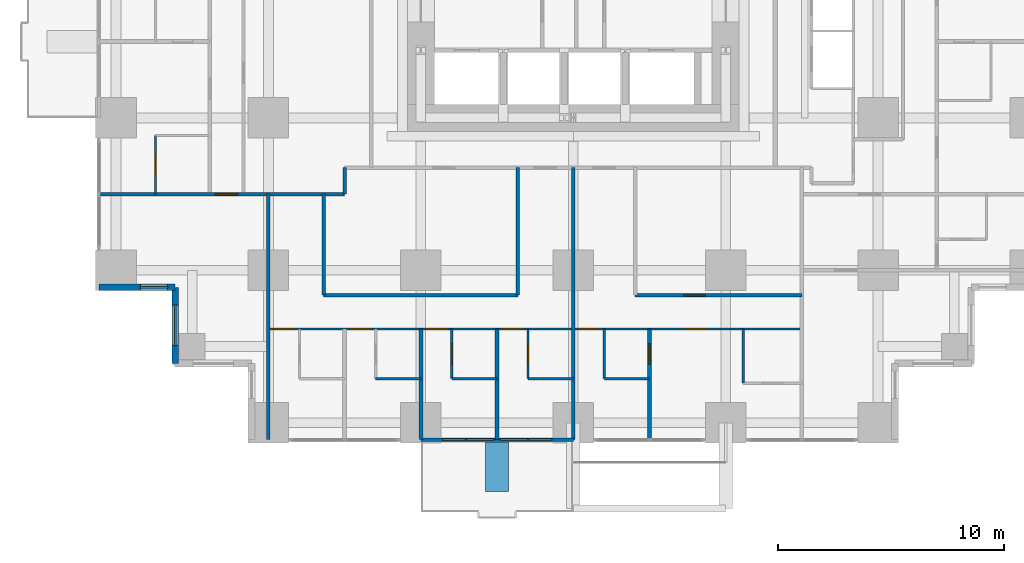
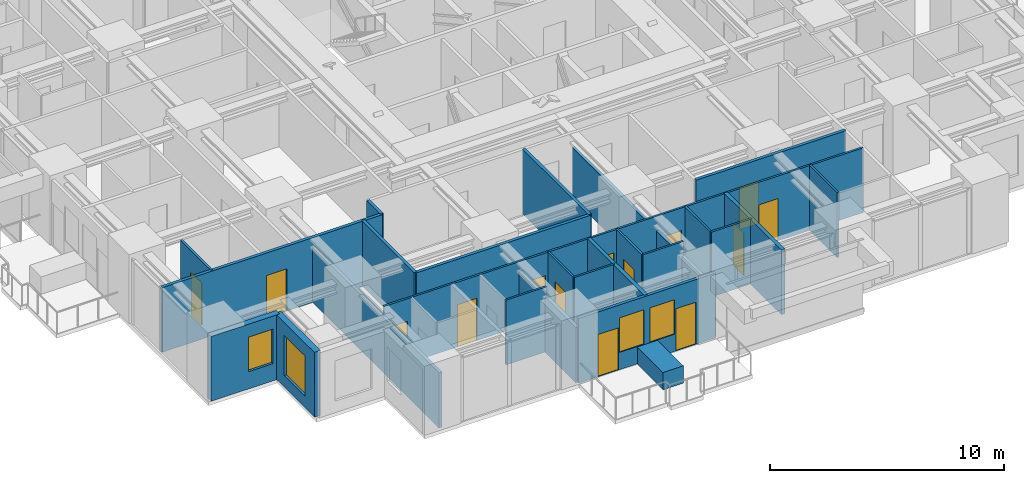
# One storey, part 8 of 14: 25 walls, 14 doors, 4 windows, 18 openings.
"""IFC4 building model written with IfcOpenShell, lengths in metres."""

from ifc_helpers import new_model, si_unit, direction, frame, frame_2d, origin, place, context, subcontext, project, spatial, rectangle, extrude, material, layer, layer_set, type_object, element, fill, save


model = new_model("IFC4")

# Units and contexts
model_context = context("Model", 3, precision=1e-05, world=origin(), true_north=direction((0.0, 1.0)))
body_context = subcontext(model_context, "Body", "Model", "MODEL_VIEW")
ifc_project = project(units=[si_unit("LENGTHUNIT", "METRE"), si_unit("AREAUNIT", "SQUARE_METRE"), si_unit("VOLUMEUNIT", "CUBIC_METRE"), si_unit("PLANEANGLEUNIT", "RADIAN"), si_unit("MASSUNIT", "GRAM", prefix="KILO")], contexts=[model_context])

# Site, building, storey
site_placement = place(None, origin())
site = spatial("IfcSite", under=ifc_project, at=site_placement, CompositionType="ELEMENT")
building_placement = place(site_placement, origin())
building = spatial("IfcBuilding", under=site, at=building_placement, Name="Nyansa Garden Tower", CompositionType="ELEMENT")
storey_placement = place(building_placement, frame((0.0, 0.0, 68.39990234375)))
storey = spatial("IfcBuildingStorey", under=building, at=storey_placement, Name="L18", CompositionType="ELEMENT", Elevation=68.39990234375)

# Walls
ifc_material_1 = material(Name="Dense blockwork, plastered both sides, 55 dB", Category="masonry")
ifc_layer_1 = layer(ifc_material_1, 0.175048828125)
ifc_layer_set_1 = layer_set([ifc_layer_1], Name="Acoustic party wall PW175")
wall_type_1 = type_object("IfcWallType", Name="Acoustic party wall PW175", PredefinedType="PARTITIONING", material=ifc_layer_set_1)
wall_1_placement = place(storey_placement, frame((13.5, -0.73388671875, 0.0), z_axis=(0.0, 0.0, 1.0), x_axis=(0.0, 1.0, 0.0)))
element("IfcWall", 1, at=wall_1_placement, inside=storey, type_object=wall_type_1, Name="Party wall", PredefinedType="PARTITIONING", context=body_context, shape_type="SweptSolid", body=[
    extrude(rectangle(XDim=4.8837890625, YDim=0.175048828125, at=frame_2d((2.44189453125, 0.0))), origin(), (0.0, 0.0, 1.0), 2.877197265625),
])
wall_2_placement = place(storey_placement, frame((16.875, -0.73388671875, 0.0), z_axis=(0.0, 0.0, 1.0), x_axis=(0.0, 1.0, 0.0)))
element("IfcWall", 2, at=wall_2_placement, inside=storey, type_object=wall_type_1, Name="Party wall", PredefinedType="PARTITIONING", context=body_context, shape_type="SweptSolid", body=[
    extrude(rectangle(XDim=4.8837890625, YDim=0.175048828125, at=frame_2d((2.44189453125, 0.0))), origin(), (0.0, 0.0, 1.0), 3.375),
])

# Wall, opening, door
wall_3_placement = place(storey_placement, frame((23.625, -0.73388671875, 0.0), z_axis=(0.0, 0.0, 1.0), x_axis=(0.0, 1.0, 0.0)))
wall_3 = element("IfcWall", 3, at=wall_3_placement, inside=storey, type_object=wall_type_1, Name="Party wall", PredefinedType="PARTITIONING", context=body_context, shape_type="SweptSolid", body=[
    extrude(rectangle(XDim=4.8837890625, YDim=0.175048828125, at=frame_2d((2.44189453125, 0.0))), origin(), (0.0, 0.0, 1.0), 3.375),
])
opening_1_placement = place(wall_3_placement, frame((3.333984375, 0.0, 0.0)))
opening_1 = element("IfcOpeningElement", 4, at=opening_1_placement, cuts=wall_3, Name="Opening D02", PredefinedType="OPENING", context=body_context, shape_type="SweptSolid", body=[
    extrude(rectangle(XDim=0.89990234375, YDim=2.199951171875, at=frame_2d((0.449951171875, 1.10009765625))), frame((0.0, 0.097412109375, 0.0), z_axis=(0.0, -1.0, 0.0), x_axis=(1.0, 0.0, 0.0)), (0.0, 0.0, 1.0), 0.195068359375),
])
ifc_material_2 = material(Name="Timber flush door", Category="wood")
door_type_1 = type_object("IfcDoorType", Name="En-suite door D02 900x2200", OperationType="SINGLE_SWING_RIGHT", PredefinedType="DOOR", material=ifc_material_2)
door_1_placement = place(opening_1_placement, origin())
door_1 = element("IfcDoor", 5, at=door_1_placement, inside=storey, type_object=door_type_1, Name="Door L18-032", OperationType="SINGLE_SWING_RIGHT", OverallHeight=2.199951171875, OverallWidth=0.89990234375, PredefinedType="DOOR", context=body_context, shape_type="SweptSolid", body=[
    extrude(rectangle(XDim=0.89990234375, YDim=2.199951171875, at=frame_2d((0.449951171875, 1.10009765625))), frame((0.0, 0.02490234375, 0.0), z_axis=(0.0, -1.0, 0.0), x_axis=(1.0, 0.0, 0.0)), (0.0, 0.0, 1.0), 0.050048828125),
])
fill(opening_1, door_1)

# Wall, openings, doors, windows
ifc_material_3 = material(Name="Black aluminium framed glazed screen", Category="aluminium")
ifc_layer_2 = layer(ifc_material_3, 0.14990234375)
ifc_layer_set_2 = layer_set([ifc_layer_2], Name="Balcony screen wall BW150")
wall_type_2 = type_object("IfcWallType", Name="Balcony screen wall BW150", PredefinedType="SOLIDWALL", material=ifc_layer_set_2)
wall_4_placement = place(storey_placement, frame((20.25, -0.75, 0.0), z_axis=(0.0, 0.0, 1.0), x_axis=(-1.0, 0.0, 0.0)))
wall_4 = element("IfcWall", 6, at=wall_4_placement, inside=storey, type_object=wall_type_2, Name="Glazed screen wall L18 S", PredefinedType="SOLIDWALL", context=body_context, shape_type="SweptSolid", body=[
    extrude(rectangle(XDim=6.75, YDim=0.14990234375, at=frame_2d((3.375, 0.0))), origin(), (0.0, 0.0, 1.0), 3.375),
])
opening_2_placement = place(wall_4_placement, frame((0.96240234375, 0.0, 0.0)))
opening_2 = element("IfcOpeningElement", 7, at=opening_2_placement, cuts=wall_4, Name="Opening D20", PredefinedType="OPENING", context=body_context, shape_type="SweptSolid", body=[
    extrude(rectangle(XDim=1.0, YDim=2.199951171875, at=frame_2d((0.5, 1.10009765625))), frame((0.0, 0.0849609375, 0.0), z_axis=(0.0, -1.0, 0.0), x_axis=(1.0, 0.0, 0.0)), (0.0, 0.0, 1.0), 0.169921875),
])
opening_3_placement = place(wall_4_placement, frame((2.02490234375, 0.0, 0.89990234375)))
opening_3 = element("IfcOpeningElement", 8, at=opening_3_placement, cuts=wall_4, Name="Opening W6", PredefinedType="OPENING", context=body_context, shape_type="SweptSolid", body=[
    extrude(rectangle(XDim=1.199951171875, YDim=1.800048828125, at=frame_2d((0.60009765625, 0.89990234375))), frame((0.0, 0.0849609375, 0.0), z_axis=(0.0, -1.0, 0.0), x_axis=(1.0, 0.0, 0.0)), (0.0, 0.0, 1.0), 0.169921875),
])
opening_4_placement = place(wall_4_placement, frame((4.78759765625, 0.0, 0.0)))
opening_4 = element("IfcOpeningElement", 9, at=opening_4_placement, cuts=wall_4, Name="Opening D20", PredefinedType="OPENING", context=body_context, shape_type="SweptSolid", body=[
    extrude(rectangle(XDim=1.0, YDim=2.199951171875, at=frame_2d((0.5, 1.10009765625))), frame((0.0, 0.0849609375, 0.0), z_axis=(0.0, -1.0, 0.0), x_axis=(1.0, 0.0, 0.0)), (0.0, 0.0, 1.0), 0.169921875),
])
opening_5_placement = place(wall_4_placement, frame((3.52490234375, 0.0, 0.89990234375)))
opening_5 = element("IfcOpeningElement", 10, at=opening_5_placement, cuts=wall_4, Name="Opening W6", PredefinedType="OPENING", context=body_context, shape_type="SweptSolid", body=[
    extrude(rectangle(XDim=1.199951171875, YDim=1.800048828125, at=frame_2d((0.60009765625, 0.89990234375))), frame((0.0, 0.0849609375, 0.0), z_axis=(0.0, -1.0, 0.0), x_axis=(1.0, 0.0, 0.0)), (0.0, 0.0, 1.0), 0.169921875),
])
ifc_material_4 = material(Name="Black aluminium framed glazed door", Category="aluminium")
door_type_2 = type_object("IfcDoorType", Name="Balcony door D20 1000x2200", OperationType="NOTDEFINED", PredefinedType="DOOR", material=ifc_material_4)
door_2_placement = place(opening_2_placement, origin())
door_2 = element("IfcDoor", 11, at=door_2_placement, inside=storey, type_object=door_type_2, Name="Balcony door L18", OperationType="SINGLE_SWING_LEFT", OverallHeight=2.199951171875, OverallWidth=1.0, PredefinedType="DOOR", context=body_context, shape_type="SweptSolid", body=[
    extrude(rectangle(XDim=1.0, YDim=2.199951171875, at=frame_2d((0.5, 1.10009765625))), frame((0.0, 0.02490234375, 0.0), z_axis=(0.0, -1.0, 0.0), x_axis=(1.0, 0.0, 0.0)), (0.0, 0.0, 1.0), 0.050048828125),
])
fill(opening_2, door_2)
door_3_placement = place(opening_4_placement, origin())
door_3 = element("IfcDoor", 12, at=door_3_placement, inside=storey, type_object=door_type_2, Name="Balcony door L18", OperationType="SINGLE_SWING_RIGHT", OverallHeight=2.199951171875, OverallWidth=1.0, PredefinedType="DOOR", context=body_context, shape_type="SweptSolid", body=[
    extrude(rectangle(XDim=1.0, YDim=2.199951171875, at=frame_2d((0.5, 1.10009765625))), frame((0.0, 0.02490234375, 0.0), z_axis=(0.0, -1.0, 0.0), x_axis=(1.0, 0.0, 0.0)), (0.0, 0.0, 1.0), 0.050048828125),
])
fill(opening_4, door_3)
ifc_material_5 = material(Name="Black aluminium frame, dark tinted double glazing", Category="aluminium")
window_type_1 = type_object("IfcWindowType", Name="Balcony window W6 1200x1800", PartitioningType="SINGLE_PANEL", PredefinedType="WINDOW", material=ifc_material_5)
window_1_placement = place(opening_3_placement, origin())
window_1 = element("IfcWindow", 13, at=window_1_placement, inside=storey, type_object=window_type_1, Name="Window L18", OverallHeight=1.800048828125, OverallWidth=1.199951171875, PartitioningType="SINGLE_PANEL", PredefinedType="WINDOW", context=body_context, shape_type="SweptSolid", body=[
    extrude(rectangle(XDim=1.199951171875, YDim=1.800048828125, at=frame_2d((0.60009765625, 0.89990234375))), frame((0.0, 0.030029296875, 0.0), z_axis=(0.0, -1.0, 0.0), x_axis=(1.0, 0.0, 0.0)), (0.0, 0.0, 1.0), 0.06005859375),
])
fill(opening_3, window_1)
window_2_placement = place(opening_5_placement, origin())
window_2 = element("IfcWindow", 14, at=window_2_placement, inside=storey, type_object=window_type_1, Name="Window L18", OverallHeight=1.800048828125, OverallWidth=1.199951171875, PartitioningType="SINGLE_PANEL", PredefinedType="WINDOW", context=body_context, shape_type="SweptSolid", body=[
    extrude(rectangle(XDim=1.199951171875, YDim=1.800048828125, at=frame_2d((0.60009765625, 0.89990234375))), frame((0.0, 0.030029296875, 0.0), z_axis=(0.0, -1.0, 0.0), x_axis=(1.0, 0.0, 0.0)), (0.0, 0.0, 1.0), 0.06005859375),
])
fill(opening_5, window_2)

# Wall, opening, door
ifc_material_6 = material(Name="Blockwork, plastered both sides", Category="masonry")
ifc_layer_3 = layer(ifc_material_6, 0.14990234375)
ifc_layer_set_3 = layer_set([ifc_layer_3], Name="Partition PW150")
wall_type_3 = type_object("IfcWallType", Name="Partition PW150", PredefinedType="PARTITIONING", material=ifc_layer_set_3)
wall_5_placement = place(storey_placement, frame((-0.73388671875, 10.125, 0.0), z_axis=(0.0, 0.0, 1.0), x_axis=(1.0, 0.0, 0.0)))
wall_5 = element("IfcWall", 15, at=wall_5_placement, inside=storey, type_object=wall_type_3, Name="Partition", PredefinedType="PARTITIONING", context=body_context, shape_type="SweptSolid", body=[
    extrude(rectangle(XDim=10.85888671875, YDim=0.14990234375, at=frame_2d((5.429443359375, 0.0))), origin(), (0.0, 0.0, 1.0), 3.375),
])
opening_6_placement = place(wall_5_placement, frame((5.134033203125, 0.0, 0.0)))
opening_6 = element("IfcOpeningElement", 16, at=opening_6_placement, cuts=wall_5, Name="Opening D03", PredefinedType="OPENING", context=body_context, shape_type="SweptSolid", body=[
    extrude(rectangle(XDim=1.0, YDim=2.199951171875, at=frame_2d((0.5, 1.10009765625))), frame((0.0, 0.0849609375, 0.0), z_axis=(0.0, -1.0, 0.0), x_axis=(1.0, 0.0, 0.0)), (0.0, 0.0, 1.0), 0.169921875),
])
ifc_material_7 = material(Name="Timber flush door, 60 minute fire resisting", Category="wood")
door_type_3 = type_object("IfcDoorType", Name="Cluster entrance door D03 1000x2200", OperationType="SINGLE_SWING_LEFT", PredefinedType="DOOR", material=ifc_material_7)
door_4_placement = place(opening_6_placement, origin())
door_4 = element("IfcDoor", 17, at=door_4_placement, inside=storey, type_object=door_type_3, Name="Door L18-019", OperationType="SINGLE_SWING_LEFT", OverallHeight=2.199951171875, OverallWidth=1.0, PredefinedType="DOOR", context=body_context, shape_type="SweptSolid", body=[
    extrude(rectangle(XDim=1.0, YDim=2.199951171875, at=frame_2d((0.5, 1.10009765625))), frame((0.0, 0.02490234375, 0.0), z_axis=(0.0, -1.0, 0.0), x_axis=(1.0, 0.0, 0.0)), (0.0, 0.0, 1.0), 0.050048828125),
])
fill(opening_6, door_4)

# Walls
wall_6_placement = place(storey_placement, frame((6.75, -0.73388671875, 0.0), z_axis=(0.0, 0.0, 1.0), x_axis=(0.0, 1.0, 0.0)))
element("IfcWall", 18, at=wall_6_placement, inside=storey, type_object=wall_type_3, Name="Partition", PredefinedType="PARTITIONING", context=body_context, shape_type="SweptSolid", body=[
    extrude(rectangle(XDim=10.85888671875, YDim=0.14990234375, at=frame_2d((5.429443359375, 0.0))), origin(), (0.0, 0.0, 1.0), 2.877197265625),
])
wall_7_placement = place(storey_placement, frame((9.199951171875, 5.64990234375, 0.0), z_axis=(0.0, 0.0, 1.0), x_axis=(0.0, 1.0, 0.0)))
element("IfcWall", 19, at=wall_7_placement, inside=storey, type_object=wall_type_3, Name="Partition", PredefinedType="PARTITIONING", context=body_context, shape_type="SweptSolid", body=[
    extrude(rectangle(XDim=4.47509765625, YDim=0.14990234375, at=frame_2d((2.237548828125, 0.0))), origin(), (0.0, 0.0, 1.0), 3.375),
])
wall_8_placement = place(storey_placement, frame((9.199951171875, 5.64990234375, 0.0), z_axis=(0.0, 0.0, 1.0), x_axis=(1.0, 0.0, 0.0)))
element("IfcWall", 20, at=wall_8_placement, inside=storey, type_object=wall_type_3, Name="Partition", PredefinedType="PARTITIONING", context=body_context, shape_type="SweptSolid", body=[
    extrude(rectangle(XDim=8.60009765625, YDim=0.14990234375, at=frame_2d((4.300048828125, 0.0))), origin(), (0.0, 0.0, 1.0), 3.375),
])
wall_9_placement = place(storey_placement, frame((10.125, 10.125, 0.0), z_axis=(0.0, 0.0, 1.0), x_axis=(0.0, 1.0, 0.0)))
element("IfcWall", 21, at=wall_9_placement, inside=storey, type_object=wall_type_3, Name="Partition", PredefinedType="PARTITIONING", context=body_context, shape_type="SweptSolid", body=[
    extrude(rectangle(XDim=1.175048828125, YDim=0.14990234375, at=frame_2d((0.58740234375, 0.0))), origin(), (0.0, 0.0, 1.0), 3.375),
])
wall_10_placement = place(storey_placement, frame((17.800048828125, 5.64990234375, 0.0), z_axis=(0.0, 0.0, 1.0), x_axis=(0.0, 1.0, 0.0)))
element("IfcWall", 22, at=wall_10_placement, inside=storey, type_object=wall_type_3, Name="Partition", PredefinedType="PARTITIONING", context=body_context, shape_type="SweptSolid", body=[
    extrude(rectangle(XDim=5.650146484375, YDim=0.14990234375, at=frame_2d((2.8251953125, 0.0))), origin(), (0.0, 0.0, 1.0), 3.375),
])
wall_11_placement = place(storey_placement, frame((20.25, -0.73388671875, 0.0), z_axis=(0.0, 0.0, 1.0), x_axis=(0.0, 1.0, 0.0)))
element("IfcWall", 23, at=wall_11_placement, inside=storey, type_object=wall_type_3, Name="Partition", PredefinedType="PARTITIONING", context=body_context, shape_type="SweptSolid", body=[
    extrude(rectangle(XDim=12.033935546875, YDim=0.14990234375, at=frame_2d((6.01708984375, 0.0))), origin(), (0.0, 0.0, 1.0), 2.610107421875),
])

# Wall, opening, door
wall_12_placement = place(storey_placement, frame((22.987548828125, 5.64990234375, 0.0), z_axis=(0.0, 0.0, 1.0), x_axis=(1.0, 0.0, 0.0)))
wall_12 = element("IfcWall", 24, at=wall_12_placement, inside=storey, type_object=wall_type_3, Name="Partition", PredefinedType="PARTITIONING", context=body_context, shape_type="SweptSolid", body=[
    extrude(rectangle(XDim=7.387451171875, YDim=0.14990234375, at=frame_2d((3.69384765625, 0.0))), origin(), (0.0, 0.0, 1.0), 3.375),
])
opening_7_placement = place(wall_12_placement, frame((2.14990234375, 0.0, 0.0)))
opening_7 = element("IfcOpeningElement", 25, at=opening_7_placement, cuts=wall_12, Name="Opening D01", PredefinedType="OPENING", context=body_context, shape_type="SweptSolid", body=[
    extrude(rectangle(XDim=0.949951171875, YDim=2.199951171875, at=frame_2d((0.47509765625, 1.10009765625))), frame((0.0, 0.0849609375, 0.0), z_axis=(0.0, -1.0, 0.0), x_axis=(1.0, 0.0, 0.0)), (0.0, 0.0, 1.0), 0.169921875),
])
ifc_material_8 = material(Name="Timber flush door, 30 minute fire resisting", Category="wood")
door_type_4 = type_object("IfcDoorType", Name="Bedroom door D01 950x2200", OperationType="SINGLE_SWING_LEFT", PredefinedType="DOOR", material=ifc_material_8)
door_5_placement = place(opening_7_placement, origin())
door_5 = element("IfcDoor", 26, at=door_5_placement, inside=storey, type_object=door_type_4, Name="Door L18-035", OperationType="SINGLE_SWING_LEFT", OverallHeight=2.199951171875, OverallWidth=0.949951171875, PredefinedType="DOOR", context=body_context, shape_type="SweptSolid", body=[
    extrude(rectangle(XDim=0.949951171875, YDim=2.199951171875, at=frame_2d((0.47509765625, 1.10009765625))), frame((0.0, 0.02490234375, 0.0), z_axis=(0.0, -1.0, 0.0), x_axis=(1.0, 0.0, 0.0)), (0.0, 0.0, 1.0), 0.050048828125),
])
fill(opening_7, door_5)

# Wall, opening, window
ifc_material_9 = material(Name="Turquoise glazed tile on concrete blockwork", Category="masonry")
ifc_layer_4 = layer(ifc_material_9, 0.300048828125)
ifc_layer_set_4 = layer_set([ifc_layer_4], Name="Tiled corner wall TW300")
wall_type_4 = type_object("IfcWallType", Name="Tiled corner wall TW300", PredefinedType="SOLIDWALL", material=ifc_layer_set_4)
wall_13_placement = place(storey_placement, frame((-0.75, 6.0, 0.0), z_axis=(0.0, 0.0, 1.0), x_axis=(1.0, 0.0, 0.0)))
wall_13 = element("IfcWall", 27, at=wall_13_placement, inside=storey, type_object=wall_type_4, Name="Tiled corner wall L18", PredefinedType="SOLIDWALL", context=body_context, shape_type="SweptSolid", body=[
    extrude(rectangle(XDim=3.375, YDim=0.300048828125, at=frame_2d((1.6875, 0.0))), origin(), (0.0, 0.0, 1.0), 3.375),
])
opening_8_placement = place(wall_13_placement, frame((1.83251953125, 0.0, 0.89990234375)))
opening_8 = element("IfcOpeningElement", 28, at=opening_8_placement, cuts=wall_13, Name="Opening W4", PredefinedType="OPENING", context=body_context, shape_type="SweptSolid", body=[
    extrude(rectangle(XDim=1.199951171875, YDim=1.800048828125, at=frame_2d((0.60009765625, 0.89990234375))), frame((0.0, 0.159912109375, 0.0), z_axis=(0.0, -1.0, 0.0), x_axis=(1.0, 0.0, 0.0)), (0.0, 0.0, 1.0), 0.320068359375),
])
ifc_material_10 = material(Name="Black aluminium frame, dark tinted double glazing", Category="aluminium")
window_type_2 = type_object("IfcWindowType", Name="Window W4 1200x1800", PartitioningType="SINGLE_PANEL", PredefinedType="WINDOW", material=ifc_material_10)
window_3_placement = place(opening_8_placement, origin())
window_3 = element("IfcWindow", 29, at=window_3_placement, inside=storey, type_object=window_type_2, Name="Corner window L18", OverallHeight=1.800048828125, OverallWidth=1.199951171875, PartitioningType="SINGLE_PANEL", PredefinedType="WINDOW", context=body_context, shape_type="SweptSolid", body=[
    extrude(rectangle(XDim=1.199951171875, YDim=1.800048828125, at=frame_2d((0.60009765625, 0.89990234375))), frame((0.0, 0.030029296875, 0.0), z_axis=(0.0, -1.0, 0.0), x_axis=(1.0, 0.0, 0.0)), (0.0, 0.0, 1.0), 0.06005859375),
])
fill(opening_8, window_3)

wall_14_placement = place(storey_placement, frame((2.625, 6.0, 0.0), z_axis=(0.0, 0.0, 1.0), x_axis=(0.0, -1.0, 0.0)))
wall_14 = element("IfcWall", 30, at=wall_14_placement, inside=storey, type_object=wall_type_4, Name="Tiled corner wall L18", PredefinedType="SOLIDWALL", context=body_context, shape_type="SweptSolid", body=[
    extrude(rectangle(XDim=3.375, YDim=0.300048828125, at=frame_2d((1.6875, 0.0))), origin(), (0.0, 0.0, 1.0), 3.375),
])
opening_9_placement = place(wall_14_placement, frame((0.78759765625, 0.0, 0.60009765625)))
opening_9 = element("IfcOpeningElement", 31, at=opening_9_placement, cuts=wall_14, Name="Opening W2", PredefinedType="OPENING", context=body_context, shape_type="SweptSolid", body=[
    extrude(rectangle(XDim=1.800048828125, YDim=2.10009765625, at=frame_2d((0.89990234375, 1.050048828125))), frame((0.0, 0.159912109375, 0.0), z_axis=(0.0, -1.0, 0.0), x_axis=(1.0, 0.0, 0.0)), (0.0, 0.0, 1.0), 0.320068359375),
])
ifc_material_11 = material(Name="Black aluminium frame, dark tinted double glazing", Category="aluminium")
window_type_3 = type_object("IfcWindowType", Name="Window W2 1800x2100", PartitioningType="SINGLE_PANEL", PredefinedType="WINDOW", material=ifc_material_11)
window_4_placement = place(opening_9_placement, origin())
window_4 = element("IfcWindow", 32, at=window_4_placement, inside=storey, type_object=window_type_3, Name="Corner window L18", OverallHeight=2.10009765625, OverallWidth=1.800048828125, PartitioningType="SINGLE_PANEL", PredefinedType="WINDOW", context=body_context, shape_type="SweptSolid", body=[
    extrude(rectangle(XDim=1.800048828125, YDim=2.10009765625, at=frame_2d((0.89990234375, 1.050048828125))), frame((0.0, 0.030029296875, 0.0), z_axis=(0.0, -1.0, 0.0), x_axis=(1.0, 0.0, 0.0)), (0.0, 0.0, 1.0), 0.06005859375),
])
fill(opening_9, window_4)

# Wall
ifc_material_12 = material(Name="Concrete C40/50 planter, waterproofed", Category="concrete")
ifc_layer_5 = layer(ifc_material_12, 1.0)
ifc_layer_set_5 = layer_set([ifc_layer_5], Name="Tree planter TP1")
wall_type_5 = type_object("IfcWallType", Name="Tree planter TP1", PredefinedType="USERDEFINED", material=ifc_layer_set_5)
wall_15_placement = place(storey_placement, frame((16.875, -0.85009765625, 0.0), z_axis=(0.0, 0.0, 1.0), x_axis=(0.0, -1.0, 0.0)))
element("IfcWall", 33, at=wall_15_placement, inside=storey, type_object=wall_type_5, Name="Tree planter L18", ObjectType="TREE PLANTER", PredefinedType="USERDEFINED", context=body_context, shape_type="SweptSolid", body=[
    extrude(rectangle(XDim=2.199951171875, YDim=1.0, at=frame_2d((1.10009765625, 0.0))), origin(), (0.0, 0.0, 1.0), 0.900146484375),
])

# Wall, opening, door
ifc_material_13 = material(Name="Moisture resistant board on steel studs, tiled", Category="steel")
ifc_layer_6 = layer(ifc_material_13, 0.10009765625)
ifc_layer_set_6 = layer_set([ifc_layer_6], Name="Wet wall PW100")
wall_type_6 = type_object("IfcWallType", Name="Wet wall PW100", PredefinedType="PARTITIONING", material=ifc_layer_set_6)
wall_16_placement = place(storey_placement, frame((1.75, 10.125, 0.0), z_axis=(0.0, 0.0, 1.0), x_axis=(0.0, 1.0, 0.0)))
wall_16 = element("IfcWall", 34, at=wall_16_placement, inside=storey, type_object=wall_type_6, Name="Wet wall", PredefinedType="PARTITIONING", context=body_context, shape_type="SweptSolid", body=[
    extrude(rectangle(XDim=2.60009765625, YDim=0.10009765625, at=frame_2d((1.300048828125, 0.0))), origin(), (0.0, 0.0, 1.0), 3.375),
])
opening_10_placement = place(wall_16_placement, frame((0.85009765625, 0.0, 0.0)))
opening_10 = element("IfcOpeningElement", 35, at=opening_10_placement, cuts=wall_16, Name="Opening D02", PredefinedType="OPENING", context=body_context, shape_type="SweptSolid", body=[
    extrude(rectangle(XDim=0.89990234375, YDim=2.199951171875, at=frame_2d((0.449951171875, 1.10009765625))), frame((0.0, 0.06005859375, 0.0), z_axis=(0.0, -1.0, 0.0), x_axis=(1.0, 0.0, 0.0)), (0.0, 0.0, 1.0), 0.1201171875),
])
door_6_placement = place(opening_10_placement, origin())
door_6 = element("IfcDoor", 36, at=door_6_placement, inside=storey, type_object=door_type_1, Name="Door L18-070", OperationType="SINGLE_SWING_RIGHT", OverallHeight=2.199951171875, OverallWidth=0.89990234375, PredefinedType="DOOR", context=body_context, shape_type="SweptSolid", body=[
    extrude(rectangle(XDim=0.89990234375, YDim=2.199951171875, at=frame_2d((0.449951171875, 1.10009765625))), frame((0.0, 0.02490234375, 0.0), z_axis=(0.0, -1.0, 0.0), x_axis=(1.0, 0.0, 0.0)), (0.0, 0.0, 1.0), 0.050048828125),
])
fill(opening_10, door_6)

# Wall, openings, doors
wall_17_placement = place(storey_placement, frame((6.75, 4.14990234375, 0.0), z_axis=(0.0, 0.0, 1.0), x_axis=(1.0, 0.0, 0.0)))
wall_17 = element("IfcWall", 37, at=wall_17_placement, inside=storey, type_object=wall_type_6, Name="Wet wall", PredefinedType="PARTITIONING", context=body_context, shape_type="SweptSolid", body=[
    extrude(rectangle(XDim=23.625, YDim=0.10009765625, at=frame_2d((11.8125, 0.0))), origin(), (0.0, 0.0, 1.0), 3.375),
])
opening_11_placement = place(wall_17_placement, frame((0.199951171875, 0.0, 0.0)))
opening_11 = element("IfcOpeningElement", 38, at=opening_11_placement, cuts=wall_17, Name="Opening D01", PredefinedType="OPENING", context=body_context, shape_type="SweptSolid", body=[
    extrude(rectangle(XDim=0.949951171875, YDim=2.199951171875, at=frame_2d((0.47509765625, 1.10009765625))), frame((0.0, 0.06005859375, 0.0), z_axis=(0.0, -1.0, 0.0), x_axis=(1.0, 0.0, 0.0)), (0.0, 0.0, 1.0), 0.1201171875),
])
opening_12_placement = place(wall_17_placement, frame((3.625, 0.0, 0.0)))
opening_12 = element("IfcOpeningElement", 39, at=opening_12_placement, cuts=wall_17, Name="Opening D01", PredefinedType="OPENING", context=body_context, shape_type="SweptSolid", body=[
    extrude(rectangle(XDim=0.949951171875, YDim=2.199951171875, at=frame_2d((0.47509765625, 1.10009765625))), frame((0.0, 0.06005859375, 0.0), z_axis=(0.0, -1.0, 0.0), x_axis=(1.0, 0.0, 0.0)), (0.0, 0.0, 1.0), 0.1201171875),
])
opening_13_placement = place(wall_17_placement, frame((7.0, 0.0, 0.0)))
opening_13 = element("IfcOpeningElement", 40, at=opening_13_placement, cuts=wall_17, Name="Opening D01", PredefinedType="OPENING", context=body_context, shape_type="SweptSolid", body=[
    extrude(rectangle(XDim=0.949951171875, YDim=2.199951171875, at=frame_2d((0.47509765625, 1.10009765625))), frame((0.0, 0.06005859375, 0.0), z_axis=(0.0, -1.0, 0.0), x_axis=(1.0, 0.0, 0.0)), (0.0, 0.0, 1.0), 0.1201171875),
])
opening_14_placement = place(wall_17_placement, frame((10.375, 0.0, 0.0)))
opening_14 = element("IfcOpeningElement", 41, at=opening_14_placement, cuts=wall_17, Name="Opening D01", PredefinedType="OPENING", context=body_context, shape_type="SweptSolid", body=[
    extrude(rectangle(XDim=0.949951171875, YDim=2.199951171875, at=frame_2d((0.47509765625, 1.10009765625))), frame((0.0, 0.06005859375, 0.0), z_axis=(0.0, -1.0, 0.0), x_axis=(1.0, 0.0, 0.0)), (0.0, 0.0, 1.0), 0.1201171875),
])
opening_15_placement = place(wall_17_placement, frame((18.47509765625, 0.0, 0.0)))
opening_15 = element("IfcOpeningElement", 42, at=opening_15_placement, cuts=wall_17, Name="Opening D14", PredefinedType="OPENING", context=body_context, shape_type="SweptSolid", body=[
    extrude(rectangle(XDim=0.949951171875, YDim=2.199951171875, at=frame_2d((0.47509765625, 1.10009765625))), frame((0.0, 0.06005859375, 0.0), z_axis=(0.0, -1.0, 0.0), x_axis=(1.0, 0.0, 0.0)), (0.0, 0.0, 1.0), 0.1201171875),
])
opening_16_placement = place(wall_17_placement, frame((13.699951171875, 0.0, 0.0)))
opening_16 = element("IfcOpeningElement", 43, at=opening_16_placement, cuts=wall_17, Name="Opening D14", PredefinedType="OPENING", context=body_context, shape_type="SweptSolid", body=[
    extrude(rectangle(XDim=0.949951171875, YDim=2.199951171875, at=frame_2d((0.47509765625, 1.10009765625))), frame((0.0, 0.06005859375, 0.0), z_axis=(0.0, -1.0, 0.0), x_axis=(1.0, 0.0, 0.0)), (0.0, 0.0, 1.0), 0.1201171875),
])
door_7_placement = place(opening_11_placement, origin())
door_7 = element("IfcDoor", 44, at=door_7_placement, inside=storey, type_object=door_type_4, Name="Door L18-020", OperationType="SINGLE_SWING_LEFT", OverallHeight=2.199951171875, OverallWidth=0.949951171875, PredefinedType="DOOR", context=body_context, shape_type="SweptSolid", body=[
    extrude(rectangle(XDim=0.949951171875, YDim=2.199951171875, at=frame_2d((0.47509765625, 1.10009765625))), frame((0.0, 0.02490234375, 0.0), z_axis=(0.0, -1.0, 0.0), x_axis=(1.0, 0.0, 0.0)), (0.0, 0.0, 1.0), 0.050048828125),
])
fill(opening_11, door_7)
door_8_placement = place(opening_12_placement, origin())
door_8 = element("IfcDoor", 45, at=door_8_placement, inside=storey, type_object=door_type_4, Name="Door L18-022", OperationType="SINGLE_SWING_LEFT", OverallHeight=2.199951171875, OverallWidth=0.949951171875, PredefinedType="DOOR", context=body_context, shape_type="SweptSolid", body=[
    extrude(rectangle(XDim=0.949951171875, YDim=2.199951171875, at=frame_2d((0.47509765625, 1.10009765625))), frame((0.0, 0.02490234375, 0.0), z_axis=(0.0, -1.0, 0.0), x_axis=(1.0, 0.0, 0.0)), (0.0, 0.0, 1.0), 0.050048828125),
])
fill(opening_12, door_8)
door_9_placement = place(opening_13_placement, origin())
door_9 = element("IfcDoor", 46, at=door_9_placement, inside=storey, type_object=door_type_4, Name="Door L18-024", OperationType="SINGLE_SWING_LEFT", OverallHeight=2.199951171875, OverallWidth=0.949951171875, PredefinedType="DOOR", context=body_context, shape_type="SweptSolid", body=[
    extrude(rectangle(XDim=0.949951171875, YDim=2.199951171875, at=frame_2d((0.47509765625, 1.10009765625))), frame((0.0, 0.02490234375, 0.0), z_axis=(0.0, -1.0, 0.0), x_axis=(1.0, 0.0, 0.0)), (0.0, 0.0, 1.0), 0.050048828125),
])
fill(opening_13, door_9)
door_10_placement = place(opening_14_placement, origin())
door_10 = element("IfcDoor", 47, at=door_10_placement, inside=storey, type_object=door_type_4, Name="Door L18-026", OperationType="SINGLE_SWING_LEFT", OverallHeight=2.199951171875, OverallWidth=0.949951171875, PredefinedType="DOOR", context=body_context, shape_type="SweptSolid", body=[
    extrude(rectangle(XDim=0.949951171875, YDim=2.199951171875, at=frame_2d((0.47509765625, 1.10009765625))), frame((0.0, 0.02490234375, 0.0), z_axis=(0.0, -1.0, 0.0), x_axis=(1.0, 0.0, 0.0)), (0.0, 0.0, 1.0), 0.050048828125),
])
fill(opening_14, door_10)
ifc_material_14 = material(Name="Timber flush door, 60 minute fire resisting, self-closing", Category="wood")
door_type_5 = type_object("IfcDoorType", Name="Studio entrance door D14 950x2200", OperationType="SINGLE_SWING_LEFT", PredefinedType="DOOR", material=ifc_material_14)
door_11_placement = place(opening_15_placement, origin())
door_11 = element("IfcDoor", 48, at=door_11_placement, inside=storey, type_object=door_type_5, Name="Door L18-029", OperationType="SINGLE_SWING_LEFT", OverallHeight=2.199951171875, OverallWidth=0.949951171875, PredefinedType="DOOR", context=body_context, shape_type="SweptSolid", body=[
    extrude(rectangle(XDim=0.949951171875, YDim=2.199951171875, at=frame_2d((0.47509765625, 1.10009765625))), frame((0.0, 0.02490234375, 0.0), z_axis=(0.0, -1.0, 0.0), x_axis=(1.0, 0.0, 0.0)), (0.0, 0.0, 1.0), 0.050048828125),
])
fill(opening_15, door_11)
door_12_placement = place(opening_16_placement, origin())
door_12 = element("IfcDoor", 49, at=door_12_placement, inside=storey, type_object=door_type_5, Name="Door L18-031", OperationType="SINGLE_SWING_LEFT", OverallHeight=2.199951171875, OverallWidth=0.949951171875, PredefinedType="DOOR", context=body_context, shape_type="SweptSolid", body=[
    extrude(rectangle(XDim=0.949951171875, YDim=2.199951171875, at=frame_2d((0.47509765625, 1.10009765625))), frame((0.0, 0.02490234375, 0.0), z_axis=(0.0, -1.0, 0.0), x_axis=(1.0, 0.0, 0.0)), (0.0, 0.0, 1.0), 0.050048828125),
])
fill(opening_16, door_12)

# Wall
wall_18_placement = place(storey_placement, frame((11.5, 1.949951171875, 0.0), z_axis=(0.0, 0.0, 1.0), x_axis=(1.0, 0.0, 0.0)))
element("IfcWall", 50, at=wall_18_placement, inside=storey, type_object=wall_type_6, Name="Wet wall", PredefinedType="PARTITIONING", context=body_context, shape_type="SweptSolid", body=[
    extrude(rectangle(XDim=2.0, YDim=0.10009765625, at=frame_2d((1.0, 0.0))), origin(), (0.0, 0.0, 1.0), 3.375),
])

# Wall, opening, door
wall_19_placement = place(storey_placement, frame((14.875, 1.949951171875, 0.0), z_axis=(0.0, 0.0, 1.0), x_axis=(0.0, 1.0, 0.0)))
wall_19 = element("IfcWall", 51, at=wall_19_placement, inside=storey, type_object=wall_type_6, Name="Wet wall", PredefinedType="PARTITIONING", context=body_context, shape_type="SweptSolid", body=[
    extrude(rectangle(XDim=2.199951171875, YDim=0.10009765625, at=frame_2d((1.10009765625, 0.0))), origin(), (0.0, 0.0, 1.0), 3.375),
])
opening_17_placement = place(wall_19_placement, frame((0.64990234375, 0.0, 0.0)))
opening_17 = element("IfcOpeningElement", 52, at=opening_17_placement, cuts=wall_19, Name="Opening D02", PredefinedType="OPENING", context=body_context, shape_type="SweptSolid", body=[
    extrude(rectangle(XDim=0.89990234375, YDim=2.199951171875, at=frame_2d((0.449951171875, 1.10009765625))), frame((0.0, 0.06005859375, 0.0), z_axis=(0.0, -1.0, 0.0), x_axis=(1.0, 0.0, 0.0)), (0.0, 0.0, 1.0), 0.1201171875),
])
door_13_placement = place(opening_17_placement, origin())
door_13 = element("IfcDoor", 53, at=door_13_placement, inside=storey, type_object=door_type_1, Name="Door L18-025", OperationType="SINGLE_SWING_RIGHT", OverallHeight=2.199951171875, OverallWidth=0.89990234375, PredefinedType="DOOR", context=body_context, shape_type="SweptSolid", body=[
    extrude(rectangle(XDim=0.89990234375, YDim=2.199951171875, at=frame_2d((0.449951171875, 1.10009765625))), frame((0.0, 0.02490234375, 0.0), z_axis=(0.0, -1.0, 0.0), x_axis=(1.0, 0.0, 0.0)), (0.0, 0.0, 1.0), 0.050048828125),
])
fill(opening_17, door_13)

# Wall
wall_20_placement = place(storey_placement, frame((14.875, 1.949951171875, 0.0), z_axis=(0.0, 0.0, 1.0), x_axis=(1.0, 0.0, 0.0)))
element("IfcWall", 54, at=wall_20_placement, inside=storey, type_object=wall_type_6, Name="Wet wall", PredefinedType="PARTITIONING", context=body_context, shape_type="SweptSolid", body=[
    extrude(rectangle(XDim=2.0, YDim=0.10009765625, at=frame_2d((1.0, 0.0))), origin(), (0.0, 0.0, 1.0), 3.375),
])

# Wall, opening, door
wall_21_placement = place(storey_placement, frame((18.25, 1.949951171875, 0.0), z_axis=(0.0, 0.0, 1.0), x_axis=(0.0, 1.0, 0.0)))
wall_21 = element("IfcWall", 55, at=wall_21_placement, inside=storey, type_object=wall_type_6, Name="Wet wall", PredefinedType="PARTITIONING", context=body_context, shape_type="SweptSolid", body=[
    extrude(rectangle(XDim=2.199951171875, YDim=0.10009765625, at=frame_2d((1.10009765625, 0.0))), origin(), (0.0, 0.0, 1.0), 3.375),
])
opening_18_placement = place(wall_21_placement, frame((0.64990234375, 0.0, 0.0)))
opening_18 = element("IfcOpeningElement", 56, at=opening_18_placement, cuts=wall_21, Name="Opening D02", PredefinedType="OPENING", context=body_context, shape_type="SweptSolid", body=[
    extrude(rectangle(XDim=0.89990234375, YDim=2.199951171875, at=frame_2d((0.449951171875, 1.10009765625))), frame((0.0, 0.06005859375, 0.0), z_axis=(0.0, -1.0, 0.0), x_axis=(1.0, 0.0, 0.0)), (0.0, 0.0, 1.0), 0.1201171875),
])
door_14_placement = place(opening_18_placement, origin())
door_14 = element("IfcDoor", 57, at=door_14_placement, inside=storey, type_object=door_type_1, Name="Door L18-027", OperationType="SINGLE_SWING_RIGHT", OverallHeight=2.199951171875, OverallWidth=0.89990234375, PredefinedType="DOOR", context=body_context, shape_type="SweptSolid", body=[
    extrude(rectangle(XDim=0.89990234375, YDim=2.199951171875, at=frame_2d((0.449951171875, 1.10009765625))), frame((0.0, 0.02490234375, 0.0), z_axis=(0.0, -1.0, 0.0), x_axis=(1.0, 0.0, 0.0)), (0.0, 0.0, 1.0), 0.050048828125),
])
fill(opening_18, door_14)

# Walls
wall_22_placement = place(storey_placement, frame((18.25, 1.949951171875, 0.0), z_axis=(0.0, 0.0, 1.0), x_axis=(1.0, 0.0, 0.0)))
element("IfcWall", 58, at=wall_22_placement, inside=storey, type_object=wall_type_6, Name="Wet wall", PredefinedType="PARTITIONING", context=body_context, shape_type="SweptSolid", body=[
    extrude(rectangle(XDim=2.0, YDim=0.10009765625, at=frame_2d((1.0, 0.0))), origin(), (0.0, 0.0, 1.0), 3.375),
])
wall_23_placement = place(storey_placement, frame((21.625, 1.949951171875, 0.0), z_axis=(0.0, 0.0, 1.0), x_axis=(0.0, 1.0, 0.0)))
element("IfcWall", 59, at=wall_23_placement, inside=storey, type_object=wall_type_6, Name="Wet wall", PredefinedType="PARTITIONING", context=body_context, shape_type="SweptSolid", body=[
    extrude(rectangle(XDim=2.199951171875, YDim=0.10009765625, at=frame_2d((1.10009765625, 0.0))), origin(), (0.0, 0.0, 1.0), 3.375),
])
wall_24_placement = place(storey_placement, frame((21.625, 1.949951171875, 0.0), z_axis=(0.0, 0.0, 1.0), x_axis=(1.0, 0.0, 0.0)))
element("IfcWall", 60, at=wall_24_placement, inside=storey, type_object=wall_type_6, Name="Wet wall", PredefinedType="PARTITIONING", context=body_context, shape_type="SweptSolid", body=[
    extrude(rectangle(XDim=2.0, YDim=0.10009765625, at=frame_2d((1.0, 0.0))), origin(), (0.0, 0.0, 1.0), 3.375),
])
wall_25_placement = place(storey_placement, frame((27.77490234375, 1.75, 0.0), z_axis=(0.0, 0.0, 1.0), x_axis=(0.0, 1.0, 0.0)))
element("IfcWall", 61, at=wall_25_placement, inside=storey, type_object=wall_type_6, Name="Wet wall", PredefinedType="PARTITIONING", context=body_context, shape_type="SweptSolid", body=[
    extrude(rectangle(XDim=2.39990234375, YDim=0.10009765625, at=frame_2d((1.199951171875, 0.0))), origin(), (0.0, 0.0, 1.0), 3.375),
])

save(model, "model.ifc")
